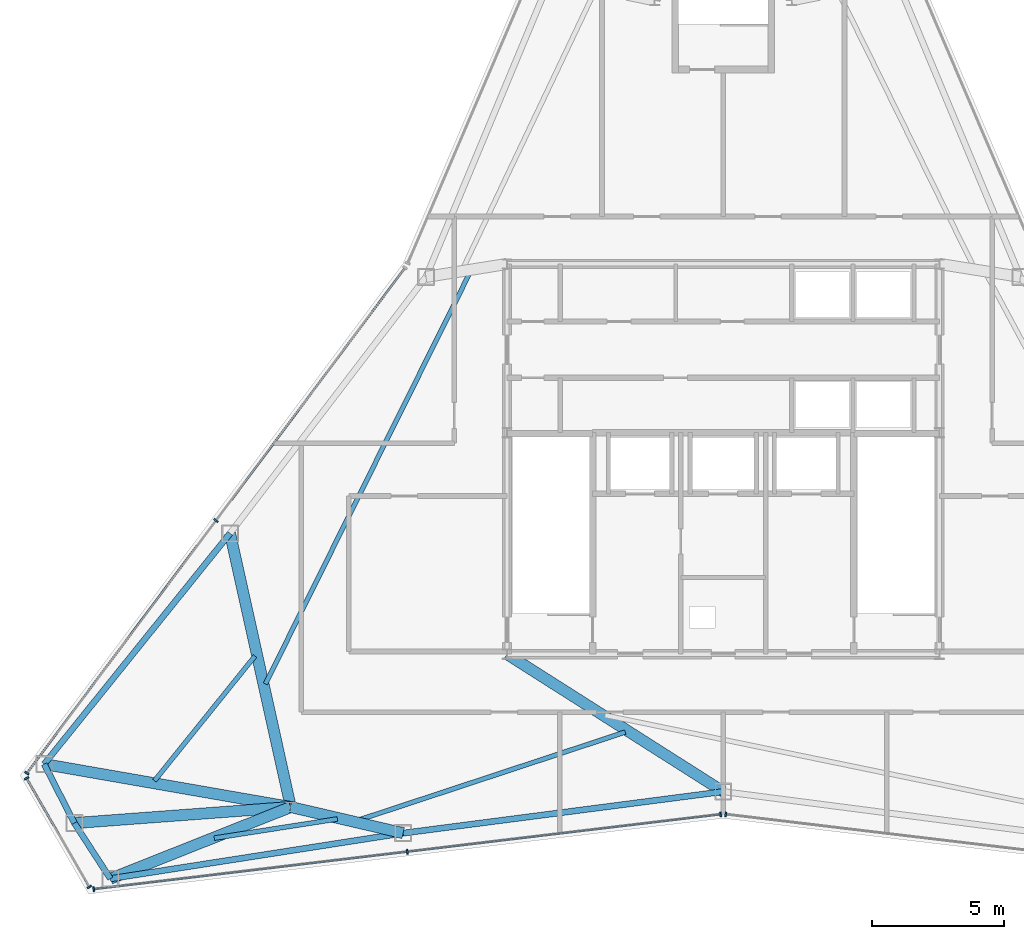
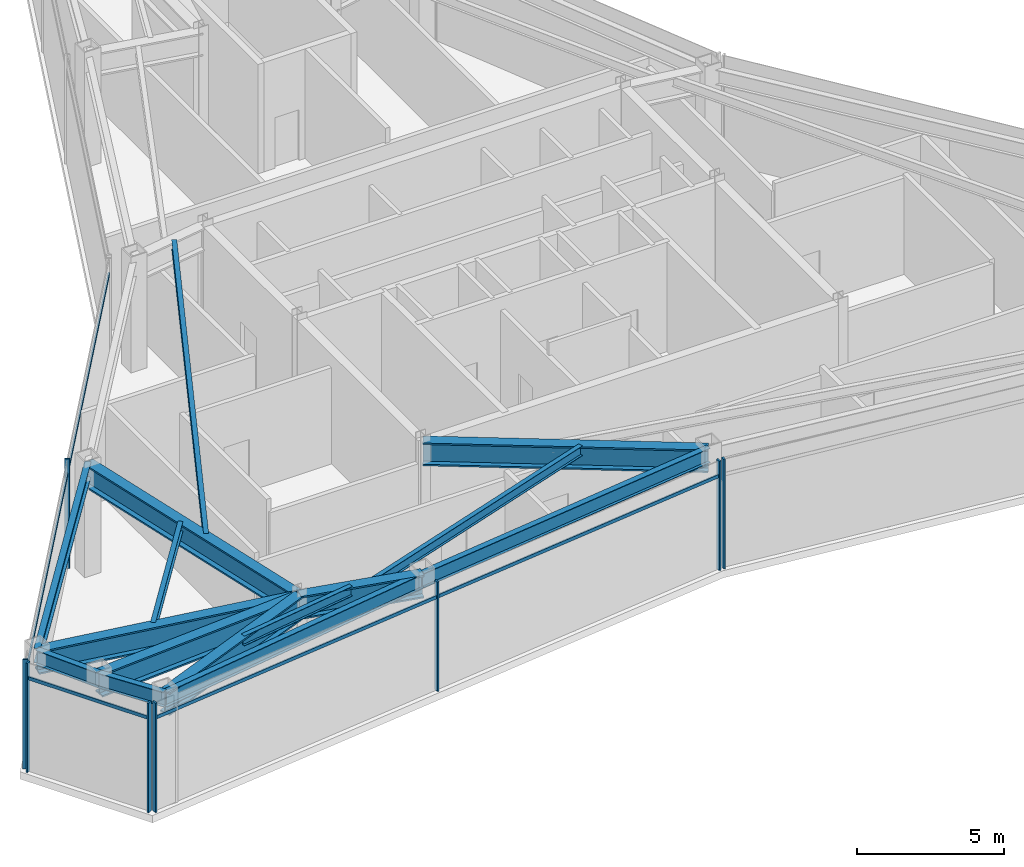
# One storey, part 3 of 11: 15 beams, 11 members, 4 elements without a shape of their own.
"""IFC4 building model written with IfcOpenShell, lengths in metres."""

import ifcopenshell
import ifcopenshell.guid

model = None  # the IFC model being written
_history = None  # IfcOwnerHistory: only IFC2X3 demands one
_inside = {}  # id of a spatial element -> (the spatial element, [elements in it])
_under = {}  # id of a project, library or spatial element -> (it, [spatial elements below it])
_declared = {}  # id of a project -> (the project, [libraries it declares])
_typed = {}  # id of a type object -> (the type object, [elements of that type])
_made_of = {}  # id of a material, layer set ... -> (it, [elements and type objects made of it])


def new_model(schema):
    """Start an empty IFC model of exactly this schema.

    Asked for "IFC4X3", IfcOpenShell would pick the latest addendum, in which some entities
    have other attributes; the version numbers below select the first issue.
    IFC2X3 requires an IfcOwnerHistory on every rooted entity: one is made here for all.
    """
    global model, _history
    if schema == "IFC4X3":
        model = ifcopenshell.file(schema_version=(4, 3, 0, 0))
    else:
        model = ifcopenshell.file(schema=schema)
    _inside.clear()
    _under.clear()
    _declared.clear()
    _typed.clear()
    _made_of.clear()
    _history = None
    if model.schema == "IFC2X3":
        org = make("IfcOrganization", Name="unknown")
        user = make(
            "IfcPersonAndOrganization",
            ThePerson=make("IfcPerson", FamilyName="unknown"),
            TheOrganization=org,
        )
        app = make(
            "IfcApplication",
            ApplicationDeveloper=org,
            Version="unknown",
            ApplicationFullName="unknown",
            ApplicationIdentifier="unknown",
        )
        _history = make(
            "IfcOwnerHistory",
            OwningUser=user,
            OwningApplication=app,
            ChangeAction="ADDED",
            CreationDate=0,
        )
    return model


def make(cls, **values):
    """One entity of the class cls with the attributes given. An attribute that is None is left unset."""
    return model.create_entity(
        cls, **{name: value for name, value in values.items() if value is not None}
    )


def rooted(cls, **values):
    """An entity with a GlobalId (a new one), such as an element, a storey or a relation."""
    return make(cls, GlobalId=ifcopenshell.guid.new(), OwnerHistory=_history, **values)


def si_unit(unit_type, name, prefix=None):
    """IfcSIUnit, for example si_unit("LENGTHUNIT", "METRE", prefix="MILLI")."""
    return make("IfcSIUnit", UnitType=unit_type, Prefix=prefix, Name=name)


def assignment(units):
    """IfcUnitAssignment: the units of a project."""
    return None if units is None else make("IfcUnitAssignment", Units=units)


def point(xyz):
    """IfcCartesianPoint."""
    return None if xyz is None else make("IfcCartesianPoint", Coordinates=xyz)


def direction(xyz):
    """IfcDirection."""
    return None if xyz is None else make("IfcDirection", DirectionRatios=xyz)


def frame(location, z_axis=None, x_axis=None):
    """IfcAxis2Placement3D, a coordinate frame: its origin and axes. An axis left out is left unset."""
    return make(
        "IfcAxis2Placement3D",
        Location=point(location),
        Axis=direction(z_axis),
        RefDirection=direction(x_axis),
    )


def frame_2d(location, x_axis=None):
    """IfcAxis2Placement2D, a coordinate frame in the plane: its origin and x axis."""
    return make(
        "IfcAxis2Placement2D", Location=point(location), RefDirection=direction(x_axis)
    )


def origin():
    """The frame at (0, 0, 0) with its axes left unset."""
    return frame((0.0, 0.0, 0.0))


def origin_2d():
    """The frame at (0, 0) in the plane with its x axis left unset."""
    return frame_2d((0.0, 0.0))


def place(relative_to, where):
    """IfcLocalPlacement: puts the frame where relative to a parent placement (None: the world)."""
    return make(
        "IfcLocalPlacement", PlacementRelTo=relative_to, RelativePlacement=where
    )


def context(
    kind, dimensions, precision=None, world=None, true_north=None, identifier=None
):
    """IfcGeometricRepresentationContext, for example the 3D "Model" context."""
    return make(
        "IfcGeometricRepresentationContext",
        ContextIdentifier=identifier,
        ContextType=kind,
        CoordinateSpaceDimension=dimensions,
        Precision=precision,
        WorldCoordinateSystem=world,
        TrueNorth=true_north,
    )


def subcontext(parent, identifier, kind, view, scale=None):
    """IfcGeometricRepresentationSubContext, for example "Body" below "Model"."""
    return make(
        "IfcGeometricRepresentationSubContext",
        ContextIdentifier=identifier,
        ContextType=kind,
        ParentContext=parent,
        TargetScale=scale,
        TargetView=view,
    )


def project(units=None, contexts=None):
    """IfcProject with its units and contexts."""
    return rooted(
        "IfcProject",
        Name="project",
        RepresentationContexts=contexts,
        UnitsInContext=assignment(units),
    )


def spatial(cls, under=None, at=None, **own):
    """A site, building, storey or space (cls), placed at a placement, below another one or the project."""
    s = rooted(cls, ObjectPlacement=at, **own)
    if under is not None:
        _under.setdefault(under.id(), (under, []))[1].append(s)
    return s


def profile(cls, at=None, kind="AREA", **sizes):
    """A parametric profile (cls). Its sizes go by their IFC names, for example OverallWidth=200.0."""
    return make(cls, ProfileType=kind, Position=at, **sizes)


def rectangle(**sizes):
    """IfcRectangleProfileDef."""
    return profile("IfcRectangleProfileDef", **sizes)


def i_section(**sizes):
    """IfcIShapeProfileDef."""
    return profile("IfcIShapeProfileDef", **sizes)


def extrude(swept, where, along, depth):
    """IfcExtrudedAreaSolid: the profile swept, set in the frame where, extruded along a direction by depth."""
    return make(
        "IfcExtrudedAreaSolid",
        SweptArea=swept,
        Position=where,
        ExtrudedDirection=direction(along),
        Depth=depth,
    )


def shape(context_of_items, identifier, shape_type, items):
    """IfcShapeRepresentation: the items that make up one representation, for example the "Body"."""
    return make(
        "IfcShapeRepresentation",
        ContextOfItems=context_of_items,
        RepresentationIdentifier=identifier,
        RepresentationType=shape_type,
        Items=items,
    )


def source(mapping_origin, context_of_items, identifier, shape_type, items):
    """IfcRepresentationMap: a shape defined once, which mapped items show again and again."""
    return make(
        "IfcRepresentationMap",
        MappingOrigin=mapping_origin,
        MappedRepresentation=shape(context_of_items, identifier, shape_type, items),
    )


def transform(
    local_origin,
    x_axis=None,
    y_axis=None,
    z_axis=None,
    scale=None,
    scale2=None,
    scale3=None,
    uniform=True,
):
    """IfcCartesianTransformationOperator3D, or its non-uniform kind. x_axis, y_axis, z_axis: its Axis1, 2, 3."""
    if uniform:
        return make(
            "IfcCartesianTransformationOperator3D",
            Axis1=direction(x_axis),
            Axis2=direction(y_axis),
            LocalOrigin=point(local_origin),
            Scale=scale,
            Axis3=direction(z_axis),
        )
    return make(
        "IfcCartesianTransformationOperator3DnonUniform",
        Axis1=direction(x_axis),
        Axis2=direction(y_axis),
        LocalOrigin=point(local_origin),
        Scale=scale,
        Axis3=direction(z_axis),
        Scale2=scale2,
        Scale3=scale3,
    )


def mapped(mapping_source, mapping_target):
    """IfcMappedItem: shows the shape of a source again, moved by a transform."""
    return make(
        "IfcMappedItem", MappingSource=mapping_source, MappingTarget=mapping_target
    )


def material(Name=None, Category=None):
    """IfcMaterial."""
    return make("IfcMaterial", Name=Name, Category=Category)


def layer(
    of_material, thickness, ventilated=None, Name=None, Category=None, Priority=None
):
    """IfcMaterialLayer: one layer of a wall or slab, of a material (None: an air gap)."""
    return make(
        "IfcMaterialLayer",
        Material=of_material,
        LayerThickness=thickness,
        IsVentilated=ventilated,
        Name=Name,
        Category=Category,
        Priority=Priority,
    )


def layer_set(layers, Name=None):
    """IfcMaterialLayerSet."""
    return make("IfcMaterialLayerSet", MaterialLayers=layers, LayerSetName=Name)


def material_profile(
    of_material, cross_section, Name=None, Category=None, Priority=None
):
    """IfcMaterialProfile: a cross section and its material."""
    return make(
        "IfcMaterialProfile",
        Name=Name,
        Material=of_material,
        Profile=cross_section,
        Priority=Priority,
        Category=Category,
    )


def profile_set(profiles, Name=None, composite=None):
    """IfcMaterialProfileSet."""
    return make(
        "IfcMaterialProfileSet",
        Name=Name,
        MaterialProfiles=profiles,
        CompositeProfile=composite,
    )


def made_of(thing, what):
    """Note that an element or type object is made of a material, layer set ...; save() writes the relation."""
    if what is not None:
        _made_of.setdefault(what.id(), (what, []))[1].append(thing)
    return thing


def type_object(cls, material=None, **own):
    """A type object (cls), such as IfcWallType, which elements share."""
    return made_of(rooted(cls, **own), material)


def type_shapes(of_type, sources):
    """Give a type object the sources (RepresentationMaps) that its elements show as mapped items."""
    of_type.RepresentationMaps = sources


def element(
    cls,
    number,
    at=None,
    inside=None,
    cuts=None,
    type_object=None,
    material=None,
    context=None,
    identifier="Body",
    shape_type=None,
    held_by="IfcProductDefinitionShape",
    body=None,
    shapes=None,
    **own,
):
    """One element of the class cls, such as IfcWall. Its Tag is "e" and its number.

    at: its placement. inside: the storey or other place that contains it. cuts: it is an
    opening in that element (IfcRelVoidsElement). A single representation is given by context,
    identifier, shape_type and body (its items); several are given by shapes. held_by: the class
    of the entity that holds the representations. save() writes the other relations.
    """
    e = rooted(cls, Tag="e%d" % number, ObjectPlacement=at, **own)
    if body is not None:
        shapes = [shape(context, identifier, shape_type, body)]
    if shapes is not None:
        e.Representation = make(held_by, Representations=shapes)
    if inside is not None:
        _inside.setdefault(inside.id(), (inside, []))[1].append(e)
    if cuts is not None:
        rooted(
            "IfcRelVoidsElement", RelatingBuildingElement=cuts, RelatedOpeningElement=e
        )
    if type_object is not None:
        _typed.setdefault(type_object.id(), (type_object, []))[1].append(e)
    return made_of(e, material)


def aggregate(whole, parts):
    """IfcRelAggregates: a whole, such as a stair, and the parts it consists of."""
    return rooted("IfcRelAggregates", RelatingObject=whole, RelatedObjects=parts)


def save(model, path):
    """Write the relations noted so far, then the file.

    IfcRelAggregates (storeys below a building ...), IfcRelContainedInSpatialStructure (elements
    in a storey), IfcRelDefinesByType, IfcRelAssociatesMaterial and IfcRelDeclares: one each for
    every whole, place, type object, material and project.
    """
    for whole, parts in _under.values():
        aggregate(whole, parts)
    for where, things in _inside.values():
        rooted(
            "IfcRelContainedInSpatialStructure",
            RelatedElements=things,
            RelatingStructure=where,
        )
    for kind, things in _typed.values():
        rooted("IfcRelDefinesByType", RelatedObjects=things, RelatingType=kind)
    for what, things in _made_of.values():
        rooted("IfcRelAssociatesMaterial", RelatedObjects=things, RelatingMaterial=what)
    for by, libraries in _declared.values():
        rooted("IfcRelDeclares", RelatingContext=by, RelatedDefinitions=libraries)
    model.write(path)


model = new_model("IFC4")

# Units and contexts
model_context = context("Model", 3, precision=1e-05, world=origin(), true_north=direction((0.0, 1.0)))
body_context = subcontext(model_context, "Body", "Model", "MODEL_VIEW")
ifc_project = project(units=[si_unit("LENGTHUNIT", "METRE"), si_unit("AREAUNIT", "SQUARE_METRE"), si_unit("VOLUMEUNIT", "CUBIC_METRE"), si_unit("PLANEANGLEUNIT", "RADIAN"), si_unit("MASSUNIT", "GRAM", prefix="KILO")], contexts=[model_context])

# Site, building, storey
site_placement = place(None, origin())
site = spatial("IfcSite", under=ifc_project, at=site_placement, CompositionType="ELEMENT")
building_placement = place(site_placement, origin())
building = spatial("IfcBuilding", under=site, at=building_placement, Name="Varakhsha Concourse Tower", CompositionType="ELEMENT")
storey_placement = place(building_placement, frame((0.0, 0.0, 290.0)))
storey = spatial("IfcBuildingStorey", under=building, at=storey_placement, Name="L82", CompositionType="ELEMENT", Elevation=290.0)

# Beams
ifc_material_1 = material(Name="Structural Steel ASTM A992 Grade 50", Category="steel")
ifc_material_profile_1 = material_profile(ifc_material_1, i_section(OverallWidth=0.177978515625, OverallDepth=0.406982421875, WebThickness=0.008056640625, FlangeThickness=0.012939453125, at=origin_2d()), Name="W16X40")
ifc_profile_set_1 = profile_set([ifc_material_profile_1], Name="Structural Steel ASTM A992 Grade 50")
beam_type_1 = type_object("IfcBeamType", Name="BM-JST-W16X40", PredefinedType="JOIST", material=ifc_profile_set_1)
beam_1_placement = place(storey_placement, frame((30.399658203125, 30.884765625, 4.33642578125), z_axis=(-0.445174471936, -0.895443850577, 0.0), x_axis=(0.895443850577, -0.445174471936, 0.0)))
element("IfcBeam", 1, at=beam_1_placement, inside=storey, type_object=beam_type_1, Name="BM-TJST-L82-05", PredefinedType="JOIST", context=body_context, shape_type="SweptSolid", body=[
    extrude(i_section(OverallWidth=0.177978515625, OverallDepth=0.406982421875, WebThickness=0.008056640625, FlangeThickness=0.012939453125, at=origin_2d()), origin(), (0.0, 0.0, 1.0), 17.4423828125),
])
beam_2_placement = place(storey_placement, frame((22.239990234375, 16.327880859375, 4.33642578125), z_axis=(-0.627250971865, -0.778817191833, 0.0), x_axis=(0.778817191833, -0.627250971865, 0.0)))
element("IfcBeam", 2, at=beam_2_placement, inside=storey, type_object=beam_type_1, Name="BM-TJST-L82-06", PredefinedType="JOIST", context=body_context, shape_type="SweptSolid", body=[
    extrude(i_section(OverallWidth=0.177978515625, OverallDepth=0.406982421875, WebThickness=0.008056640625, FlangeThickness=0.012939453125, at=origin_2d()), origin(), (0.0, 0.0, 1.0), 6.07275390625),
])
beam_3_placement = place(storey_placement, frame((20.697509765625, 9.4208984375, 4.33642578125), z_axis=(0.988095879414, 0.153839309294, 0.0), x_axis=(-0.153839309294, 0.988095879414, 0.0)))
element("IfcBeam", 3, at=beam_3_placement, inside=storey, type_object=beam_type_1, Name="BM-TJST-L82-09", PredefinedType="JOIST", context=body_context, shape_type="SweptSolid", body=[
    extrude(i_section(OverallWidth=0.177978515625, OverallDepth=0.406982421875, WebThickness=0.008056640625, FlangeThickness=0.012939453125, at=origin_2d()), origin(), (0.0, 0.0, 1.0), 4.724365234375),
])
beam_4_placement = place(storey_placement, frame((26.090087890625, 10.080078125, 4.33642578125), z_axis=(0.949633858692, 0.31336166713, 0.0), x_axis=(-0.31336166713, 0.949633858692, 0.0)))
element("IfcBeam", 4, at=beam_4_placement, inside=storey, type_object=beam_type_1, Name="BM-TJST-L82-10", PredefinedType="JOIST", context=body_context, shape_type="SweptSolid", body=[
    extrude(i_section(OverallWidth=0.177978515625, OverallDepth=0.406982421875, WebThickness=0.008056640625, FlangeThickness=0.012939453125, at=origin_2d()), origin(), (0.0, 0.0, 1.0), 10.73828125),
])
ifc_material_profile_2 = material_profile(ifc_material_1, i_section(OverallWidth=0.423095703125, OverallDepth=0.947998046875, WebThickness=0.0380859375, FlangeThickness=0.06396484375, at=origin_2d()), Name="W36X302")
ifc_profile_set_2 = profile_set([ifc_material_profile_2], Name="Structural Steel ASTM A992 Grade 50")
beam_type_2 = type_object("IfcBeamType", Name="BM-OUTR-W36X302", PredefinedType="USERDEFINED", material=ifc_profile_set_2)
beam_5_placement = place(storey_placement, frame((23.60009765625, 10.60009765625, 4.06591796875), z_axis=(-0.216774876947, 0.976221620701, 0.0), x_axis=(-0.976221620701, -0.216774876947, 0.0)))
element("IfcBeam", 5, at=beam_5_placement, inside=storey, type_object=beam_type_2, Name="L82 Radial Floor Girder 06", ObjectType="GIRDER", PredefinedType="USERDEFINED", context=body_context, shape_type="SweptSolid", body=[
    extrude(i_section(OverallWidth=0.423095703125, OverallDepth=0.947998046875, WebThickness=0.0380859375, FlangeThickness=0.06396484375, at=origin_2d()), origin(), (0.0, 0.0, 1.0), 10.634033203125),
])
beam_6_placement = place(storey_placement, frame((23.60009765625, 10.60009765625, 4.06591796875), z_axis=(-0.985160946452, 0.171633066701, 0.0), x_axis=(-0.171633066701, -0.985160946452, 0.0)))
element("IfcBeam", 6, at=beam_6_placement, inside=storey, type_object=beam_type_2, Name="L82 Radial Floor Girder 07", ObjectType="GIRDER", PredefinedType="USERDEFINED", context=body_context, shape_type="SweptSolid", body=[
    extrude(i_section(OverallWidth=0.423095703125, OverallDepth=0.947998046875, WebThickness=0.0380859375, FlangeThickness=0.06396484375, at=origin_2d()), origin(), (0.0, 0.0, 1.0), 9.494873046875),
])
beam_7_placement = place(storey_placement, frame((23.60009765625, 10.60009765625, 4.06591796875), z_axis=(-0.997265326359, -0.073904457528, 0.0), x_axis=(0.073904457528, -0.997265326359, 0.0)))
element("IfcBeam", 7, at=beam_7_placement, inside=storey, type_object=beam_type_2, Name="L82 Radial Floor Girder 08", ObjectType="GIRDER", PredefinedType="USERDEFINED", context=body_context, shape_type="SweptSolid", body=[
    extrude(i_section(OverallWidth=0.423095703125, OverallDepth=0.947998046875, WebThickness=0.0380859375, FlangeThickness=0.06396484375, at=origin_2d()), origin(), (0.0, 0.0, 1.0), 8.232177734375),
])
beam_8_placement = place(storey_placement, frame((23.60009765625, 10.60009765625, 4.06591796875), z_axis=(-0.929358942511, -0.369177404476, 0.0), x_axis=(0.369177404476, -0.929358942511, 0.0)))
element("IfcBeam", 8, at=beam_8_placement, inside=storey, type_object=beam_type_2, Name="L82 Radial Floor Girder 09", ObjectType="GIRDER", PredefinedType="USERDEFINED", context=body_context, shape_type="SweptSolid", body=[
    extrude(i_section(OverallWidth=0.423095703125, OverallDepth=0.947998046875, WebThickness=0.0380859375, FlangeThickness=0.06396484375, at=origin_2d()), origin(), (0.0, 0.0, 1.0), 7.36376953125),
])
beam_9_placement = place(storey_placement, frame((23.60009765625, 10.60009765625, 4.06591796875), z_axis=(0.974053264238, -0.22631888659, 0.0), x_axis=(0.22631888659, 0.974053264238, 0.0)))
element("IfcBeam", 9, at=beam_9_placement, inside=storey, type_object=beam_type_2, Name="L82 Radial Floor Girder 10", ObjectType="GIRDER", PredefinedType="USERDEFINED", context=body_context, shape_type="SweptSolid", body=[
    extrude(i_section(OverallWidth=0.423095703125, OverallDepth=0.947998046875, WebThickness=0.0380859375, FlangeThickness=0.06396484375, at=origin_2d()), origin(), (0.0, 0.0, 1.0), 4.373291015625),
])
beam_10_placement = place(storey_placement, frame((31.800048828125, 16.39990234375, 4.06591796875), z_axis=(0.843815591671, -0.536633252094, 0.0), x_axis=(0.536633252094, 0.843815591671, 0.0)))
element("IfcBeam", 10, at=beam_10_placement, inside=storey, type_object=beam_type_2, Name="L82 Radial Floor Girder 11", ObjectType="GIRDER", PredefinedType="USERDEFINED", context=body_context, shape_type="SweptSolid", body=[
    extrude(i_section(OverallWidth=0.423095703125, OverallDepth=0.947998046875, WebThickness=0.0380859375, FlangeThickness=0.06396484375, at=origin_2d()), origin(), (0.0, 0.0, 1.0), 9.7177734375),
])
ifc_material_profile_3 = material_profile(ifc_material_1, i_section(OverallWidth=0.22900390625, OverallDepth=0.612060546875, WebThickness=0.011962890625, FlangeThickness=0.02001953125, at=origin_2d()), Name="W24X84")
ifc_profile_set_3 = profile_set([ifc_material_profile_3], Name="Structural Steel ASTM A992 Grade 50")
beam_type_3 = type_object("IfcBeamType", Name="BM-SPAN-W24X84", PredefinedType="SPANDREL", material=ifc_profile_set_3)
beam_11_placement = place(storey_placement, frame((21.294921875, 20.981201171875, 4.23388671875), z_axis=(-0.627277564502, -0.778795773661, 0.0), x_axis=(0.778795773661, -0.627277564502, 0.0)))
element("IfcBeam", 11, at=beam_11_placement, inside=storey, type_object=beam_type_3, Name="BM-SPAN-L82-06", PredefinedType="SPANDREL", context=body_context, shape_type="SweptSolid", body=[
    extrude(i_section(OverallWidth=0.22900390625, OverallDepth=0.612060546875, WebThickness=0.011962890625, FlangeThickness=0.02001953125, at=origin_2d()), origin(), (0.0, 0.0, 1.0), 11.237060546875),
])
for number, where, z_axis, x_axis, name in (
    (12, (14.24609375, 12.229736328125, 4.23388671875), (0.455237693932, -0.89036994672, 0.0), (0.89036994672, 0.455237693932, 0.0), "BM-SPAN-L82-07"),
    (13, (15.390380859375, 9.99169921875, 4.23388671875), (0.543488847416, -0.839416388173, 0.0), (0.839416388173, 0.543488847416, 0.0), "BM-SPAN-L82-08"),
):
    element("IfcBeam", number, at=place(storey_placement, frame(where, z_axis=z_axis, x_axis=x_axis)), inside=storey, type_object=beam_type_3, Name=name, PredefinedType="SPANDREL", context=body_context, shape_type="SweptSolid", body=[
        extrude(i_section(OverallWidth=0.22900390625, OverallDepth=0.612060546875, WebThickness=0.011962890625, FlangeThickness=0.02001953125, at=origin_2d()), origin(), (0.0, 0.0, 1.0), 2.513671875),
    ])
beam_12_placement = place(storey_placement, frame((16.756591796875, 7.881591796875, 4.23388671875), z_axis=(0.988095047233, 0.153844654224, 0.0), x_axis=(-0.153844654224, 0.988095047233, 0.0)))
element("IfcBeam", 14, at=beam_12_placement, inside=storey, type_object=beam_type_3, Name="BM-SPAN-L82-09", PredefinedType="SPANDREL", context=body_context, shape_type="SweptSolid", body=[
    extrude(i_section(OverallWidth=0.22900390625, OverallDepth=0.612060546875, WebThickness=0.011962890625, FlangeThickness=0.02001953125, at=origin_2d()), origin(), (0.0, 0.0, 1.0), 11.237060546875),
])
beam_13_placement = place(storey_placement, frame((27.85986328125, 9.6103515625, 4.23388671875), z_axis=(0.991692239346, 0.12863320886, 0.0), x_axis=(-0.12863320886, 0.991692239346, 0.0)))
element("IfcBeam", 15, at=beam_13_placement, inside=storey, type_object=beam_type_3, Name="BM-SPAN-L82-10", PredefinedType="SPANDREL", context=body_context, shape_type="SweptSolid", body=[
    extrude(i_section(OverallWidth=0.22900390625, OverallDepth=0.612060546875, WebThickness=0.011962890625, FlangeThickness=0.02001953125, at=origin_2d()), origin(), (0.0, 0.0, 1.0), 12.241943359375),
])

# Curtain wall, member
ifc_material_2 = material(Name="Anodised Bronze Architectural Aluminium AA 6063-T6", Category="aluminium")
ifc_layer = layer(ifc_material_2, 0.260009765625, Name="CW-SYS-06")
ifc_layer_set = layer_set([ifc_layer], Name="Anodised Bronze Architectural Aluminium AA 6063-T6")
curtain_wall_type = type_object("IfcCurtainWallType", Name="CW-SYS-06", PredefinedType="NOTDEFINED", material=ifc_layer_set)
curtain_wall_1_placement = place(storey_placement, origin())
curtain_wall_1 = element("IfcCurtainWall", 16, at=curtain_wall_1_placement, inside=storey, type_object=curtain_wall_type, Name="L82 Chamfer Curtain Wall F4", PredefinedType="NOTDEFINED")
ifc_material_profile_4 = material_profile(ifc_material_2, rectangle(XDim=0.06005859375, YDim=0.139892578125, at=origin_2d()), Name="CWT-140X60")
ifc_profile_set_4 = profile_set([ifc_material_profile_4], Name="Anodised Bronze Architectural Aluminium AA 6063-T6")
member_type_1 = type_object("IfcMemberType", Name="CWT-140X60", PredefinedType="USERDEFINED", material=ifc_profile_set_4)
shared_shape_1 = source(origin(), body_context, "Body", "SweptSolid", [
    extrude(rectangle(XDim=0.06005859375, YDim=0.139892578125, at=origin_2d()), origin(), (0.0, 0.0, 1.0), 4.760009765625),
])
member_1_placement = place(storey_placement, frame((15.956787109375, 7.570556640625, 3.889892578125), z_axis=(-0.499978485002, 0.866037825118, 0.0), x_axis=(-0.866037825118, -0.499978485002, 0.0)))
member_1 = element("IfcMember", 17, at=member_1_placement, type_object=member_type_1, Name="CW-L82-F4 Transom 01", ObjectType="TRANSOM", PredefinedType="USERDEFINED", context=body_context, shape_type="MappedRepresentation", body=[
    mapped(shared_shape_1, transform((0.0, 0.0, 0.0), scale=1.0)),
])

# Curtain wall, members
curtain_wall_2_placement = place(storey_placement, origin())
curtain_wall_2 = element("IfcCurtainWall", 18, at=curtain_wall_2_placement, inside=storey, type_object=curtain_wall_type, Name="L82 Crystal Curtain Wall F3", PredefinedType="NOTDEFINED")
ifc_material_profile_5 = material_profile(ifc_material_2, rectangle(XDim=0.06494140625, YDim=0.179931640625, at=origin_2d()), Name="CWM-180X65")
ifc_profile_set_5 = profile_set([ifc_material_profile_5], Name="Anodised Bronze Architectural Aluminium AA 6063-T6")
member_type_2 = type_object("IfcMemberType", Name="CWM-180X65", PredefinedType="MULLION", material=ifc_profile_set_5)
shared_shape_2 = source(origin(), body_context, "Body", "SweptSolid", [
    extrude(rectangle(XDim=0.06494140625, YDim=0.179931640625, at=origin_2d()), origin(), (0.0, 0.0, 1.0), 4.5400390625),
])
type_shapes(member_type_2, [shared_shape_2])
member_2_placement = place(storey_placement, frame((13.588134765625, 11.883544921875, 0.0), z_axis=(0.0, 0.0, 1.0), x_axis=(0.599111639907, 0.800665500024, 0.0)))
member_2 = element("IfcMember", 19, at=member_2_placement, type_object=member_type_2, Name="CW-L82-F3 Mullion 00", PredefinedType="MULLION", context=body_context, shape_type="MappedRepresentation", body=[
    mapped(shared_shape_2, transform((0.0, 0.0, 0.0), scale=1.0)),
])
member_3_placement = place(storey_placement, frame((20.760498046875, 21.468505859375, 0.0), z_axis=(0.0, 0.0, 1.0), x_axis=(0.599111639907, 0.800665500024, 0.0)))
member_3 = element("IfcMember", 20, at=member_3_placement, type_object=member_type_2, Name="CW-L82-F3 Mullion 01", PredefinedType="MULLION", context=body_context, shape_type="MappedRepresentation", body=[
    mapped(shared_shape_2, transform((0.0, 0.0, 0.0), scale=1.0)),
])

# Member
member_4_placement = place(storey_placement, frame((15.956787109375, 7.570556640625, 0.0), z_axis=(0.0, 0.0, 1.0), x_axis=(-0.4999984885, 0.866026276448, 0.0)))
member_4 = element("IfcMember", 21, at=member_4_placement, type_object=member_type_2, Name="CW-L82-F4 Mullion 00", PredefinedType="MULLION", context=body_context, shape_type="MappedRepresentation", body=[
    mapped(shared_shape_2, transform((0.0, 0.0, 0.0), scale=1.0)),
])

member_5_placement = place(storey_placement, frame((13.576904296875, 11.69287109375, 0.0), z_axis=(0.0, 0.0, 1.0), x_axis=(-0.4999984885, 0.866026276448, 0.0)))
member_5 = element("IfcMember", 22, at=member_5_placement, type_object=member_type_2, Name="CW-L82-F4 Mullion 01", PredefinedType="MULLION", context=body_context, shape_type="MappedRepresentation", body=[
    mapped(shared_shape_2, transform((0.0, 0.0, 0.0), scale=1.0)),
])

aggregate(curtain_wall_1, [member_4, member_5, member_1])

# Curtain wall, members
curtain_wall_3_placement = place(storey_placement, origin())
curtain_wall_3 = element("IfcCurtainWall", 23, at=curtain_wall_3_placement, inside=storey, type_object=curtain_wall_type, Name="L82 Crystal Curtain Wall F5", PredefinedType="NOTDEFINED")
member_6_placement = place(storey_placement, frame((39.901611328125, 10.322509765625, 0.0), z_axis=(0.0, 0.0, 1.0), x_axis=(-0.992952482908, -0.118513149851, 0.0)))
member_6 = element("IfcMember", 24, at=member_6_placement, type_object=member_type_2, Name="CW-L82-F5 Mullion 00", PredefinedType="MULLION", context=body_context, shape_type="MappedRepresentation", body=[
    mapped(shared_shape_2, transform((0.0, 0.0, 0.0), scale=1.0)),
])
member_7_placement = place(storey_placement, frame((28.014892578125, 8.90380859375, 0.0), z_axis=(0.0, 0.0, 1.0), x_axis=(-0.992952482908, -0.118513149851, 0.0)))
member_7 = element("IfcMember", 25, at=member_7_placement, type_object=member_type_2, Name="CW-L82-F5 Mullion 01", PredefinedType="MULLION", context=body_context, shape_type="MappedRepresentation", body=[
    mapped(shared_shape_2, transform((0.0, 0.0, 0.0), scale=1.0)),
])
member_8_placement = place(storey_placement, frame((16.127685546875, 7.48486328125, 0.0), z_axis=(0.0, 0.0, 1.0), x_axis=(-0.992952482908, -0.118513149851, 0.0)))
member_8 = element("IfcMember", 26, at=member_8_placement, type_object=member_type_2, Name="CW-L82-F5 Mullion 02", PredefinedType="MULLION", context=body_context, shape_type="MappedRepresentation", body=[
    mapped(shared_shape_2, transform((0.0, 0.0, 0.0), scale=1.0)),
])

# Curtain wall, member
curtain_wall_4_placement = place(storey_placement, origin())
curtain_wall_4 = element("IfcCurtainWall", 27, at=curtain_wall_4_placement, inside=storey, type_object=curtain_wall_type, Name="L82 Crystal Curtain Wall F6", PredefinedType="NOTDEFINED")
member_9_placement = place(storey_placement, frame((40.098388671875, 10.322509765625, 0.0), z_axis=(0.0, 0.0, 1.0), x_axis=(-0.992952482908, 0.118513149851, 0.0)))
member_9 = element("IfcMember", 28, at=member_9_placement, type_object=member_type_2, Name="CW-L82-F6 Mullion 02", PredefinedType="MULLION", context=body_context, shape_type="MappedRepresentation", body=[
    mapped(shared_shape_2, transform((0.0, 0.0, 0.0), scale=1.0)),
])
aggregate(curtain_wall_4, [member_9])

# Member
shared_shape_3 = source(origin(), body_context, "Body", "SweptSolid", [
    extrude(rectangle(XDim=0.06005859375, YDim=0.139892578125, at=origin_2d()), origin(), (0.0, 0.0, 1.0), 23.94287109375),
])
member_10_placement = place(storey_placement, frame((13.588134765625, 11.883544921875, 3.889892578125), z_axis=(0.599113733025, 0.800663933808, 0.0), x_axis=(-0.800663933808, 0.599113733025, 0.0)))
member_10 = element("IfcMember", 29, at=member_10_placement, type_object=member_type_1, Name="CW-L82-F3 Transom 01", ObjectType="TRANSOM", PredefinedType="USERDEFINED", context=body_context, shape_type="MappedRepresentation", body=[
    mapped(shared_shape_3, transform((0.0, 0.0, 0.0), scale=1.0)),
])

aggregate(curtain_wall_2, [member_2, member_3, member_10])

shared_shape_4 = source(origin(), body_context, "Body", "SweptSolid", [
    extrude(rectangle(XDim=0.06005859375, YDim=0.139892578125, at=origin_2d()), origin(), (0.0, 0.0, 1.0), 23.942626953125),
])
type_shapes(member_type_1, [shared_shape_1, shared_shape_3, shared_shape_4])
member_11_placement = place(storey_placement, frame((39.901611328125, 10.322509765625, 3.889892578125), z_axis=(-0.992951862707, -0.118518346035, 0.0), x_axis=(0.118518346035, -0.992951862707, 0.0)))
member_11 = element("IfcMember", 30, at=member_11_placement, type_object=member_type_1, Name="CW-L82-F5 Transom 01", ObjectType="TRANSOM", PredefinedType="USERDEFINED", context=body_context, shape_type="MappedRepresentation", body=[
    mapped(shared_shape_4, transform((0.0, 0.0, 0.0), scale=1.0)),
])

aggregate(curtain_wall_3, [member_6, member_7, member_8, member_11])

save(model, "model.ifc")
